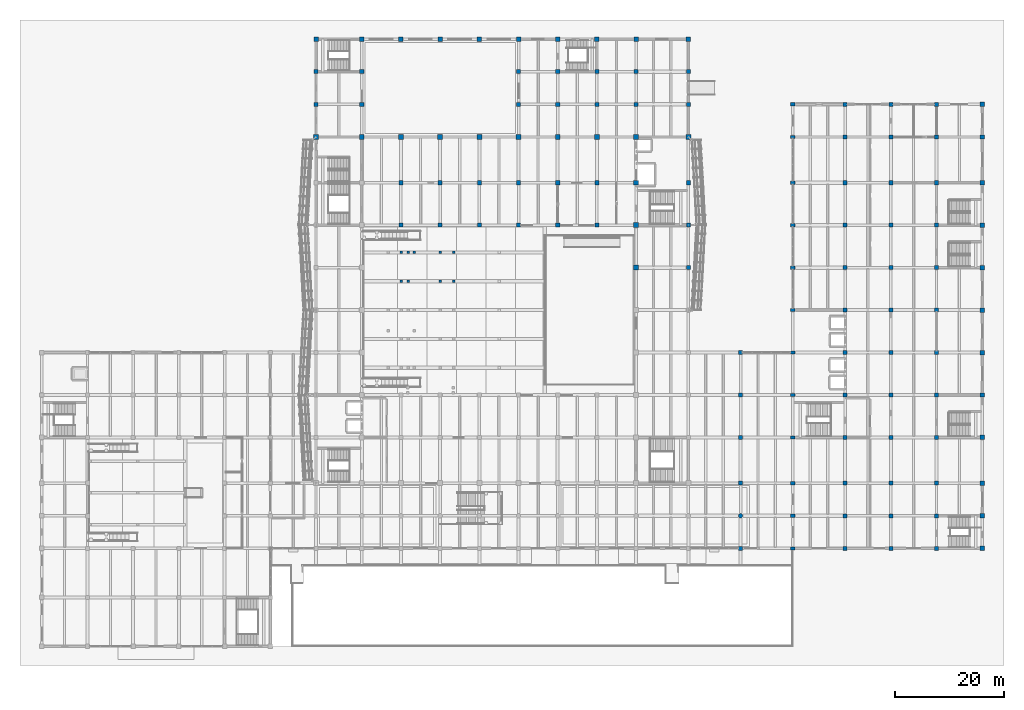
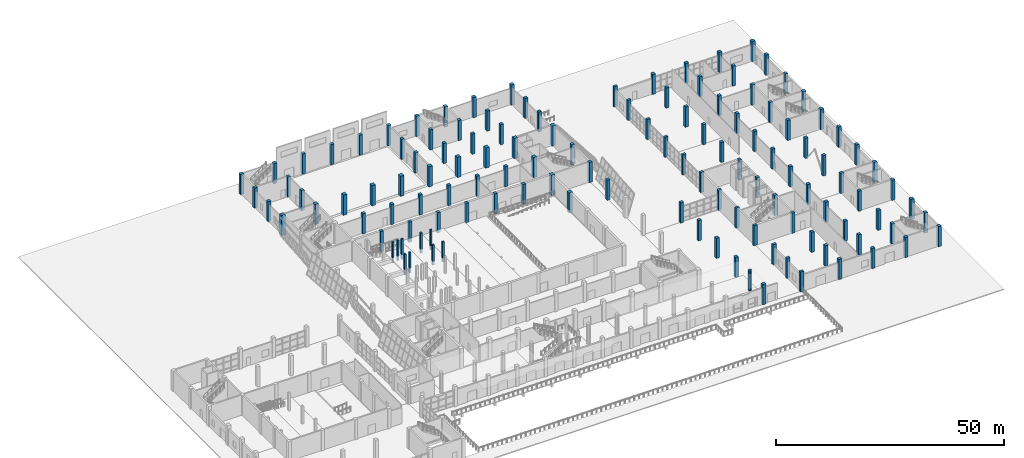
# One storey, part 2 of 78: 127 columns.
"""IFC4 building model written with IfcOpenShell, lengths in metres."""

from ifc_helpers import new_model, si_unit, direction, frame, origin, origin_2d, place, context, subcontext, project, spatial, rectangle, circle, extrude, material, material_profile, profile_set, type_object, element, save


model = new_model("IFC4")

# Units and contexts
model_context = context("Model", 3, precision=1e-05, world=origin(), true_north=direction((0.0, 1.0)))
body_context = subcontext(model_context, "Body", "Model", "MODEL_VIEW")
ifc_project = project(units=[si_unit("LENGTHUNIT", "METRE"), si_unit("AREAUNIT", "SQUARE_METRE"), si_unit("VOLUMEUNIT", "CUBIC_METRE"), si_unit("PLANEANGLEUNIT", "RADIAN"), si_unit("MASSUNIT", "GRAM", prefix="KILO")], contexts=[model_context])

# Site, building, storey
site_placement = place(None, origin())
site = spatial("IfcSite", under=ifc_project, at=site_placement, CompositionType="ELEMENT")
building_placement = place(site_placement, origin())
building = spatial("IfcBuilding", under=site, at=building_placement, Name="Pellamere Symphony Hall", CompositionType="ELEMENT")
storey_placement = place(building_placement, origin())
storey = spatial("IfcBuildingStorey", under=building, at=storey_placement, Name="L00", CompositionType="ELEMENT", Elevation=0.0)

# Columns
ifc_material_1 = material(Name="Concrete 50 MPa", Category="concrete")
ifc_material_profile_1 = material_profile(ifc_material_1, circle(Radius=0.39990234375, at=origin_2d()), Name="RCCOL D800")
ifc_profile_set_1 = profile_set([ifc_material_profile_1], Name="Concrete 50 MPa")
column_type_1 = type_object("IfcColumnType", Name="RC Circular Foyer Column CC-15 D800", PredefinedType="COLUMN", material=ifc_profile_set_1)
column_placement = place(storey_placement, frame((128.39990234375, 24.0, 0.0), z_axis=(0.0, 0.0, 1.0), x_axis=(1.0, 0.0, 0.0)))
element("IfcColumn", 1, at=column_placement, inside=storey, type_object=column_type_1, Name="Column C-17D (L00)", PredefinedType="COLUMN", context=body_context, shape_type="SweptSolid", body=[
    extrude(circle(Radius=0.39990234375, at=origin_2d()), origin(), (0.0, 0.0, 1.0), 5.39990234375),
])
ifc_material_profile_2 = material_profile(ifc_material_1, rectangle(XDim=0.89990234375, YDim=0.89990234375, at=origin_2d()), Name="RC 900x900")
ifc_profile_set_2 = profile_set([ifc_material_profile_2], Name="Concrete 50 MPa")
column_type_2 = type_object("IfcColumnType", Name="RC Column CC-02 900x900", PredefinedType="COLUMN", material=ifc_profile_set_2)
for number, where, z_axis, x_axis, name in (
    (2, (50.39990234375, 93.60009765625, 0.0), (0.0, 0.0, 1.0), (1.0, 0.0, 0.0), "Column C-7M (L00)"),
    (3, (58.800048828125, 93.60009765625, 0.0), (0.0, 0.0, 1.0), (1.0, 0.0, 0.0), "Column C-8M (L00)"),
    (4, (66.0, 93.60009765625, 0.0), (0.0, 0.0, 1.0), (1.0, 0.0, 0.0), "Column C-9M (L00)"),
    (5, (73.199951171875, 93.60009765625, 0.0), (0.0, 0.0, 1.0), (1.0, 0.0, 0.0), "Column C-10M (L00)"),
    (6, (80.39990234375, 93.60009765625, 0.0), (0.0, 0.0, 1.0), (1.0, 0.0, 0.0), "Column C-11M (L00)"),
    (7, (87.60009765625, 93.60009765625, 0.0), (0.0, 0.0, 1.0), (1.0, 0.0, 0.0), "Column C-12M (L00)"),
    (8, (94.800048828125, 93.60009765625, 0.0), (0.0, 0.0, 1.0), (1.0, 0.0, 0.0), "Column C-13M (L00)"),
    (9, (102.0, 93.60009765625, 0.0), (0.0, 0.0, 1.0), (1.0, 0.0, 0.0), "Column C-14M (L00)"),
    (10, (109.199951171875, 69.60009765625, 0.0), (0.0, 0.0, 1.0), (1.0, 0.0, 0.0), "Column C-15J (L00)"),
    (11, (109.199951171875, 77.39990234375, 0.0), (0.0, 0.0, 1.0), (1.0, 0.0, 0.0), "Column C-15K (L00)"),
    (12, (109.199951171875, 85.199951171875, 0.0), (0.0, 0.0, 1.0), (1.0, 0.0, 0.0), "Column C-15L (L00)"),
    (13, (109.199951171875, 93.60009765625, 0.0), (0.0, 0.0, 1.0), (1.0, 0.0, 0.0), "Column C-15M (L00)"),
    (14, (118.800048828125, 93.60009765625, 0.0), (0.0, 0.0, 1.0), (1.0, 0.0, 0.0), "Column C-16M (L00)"),
):
    element("IfcColumn", number, at=place(storey_placement, frame(where, z_axis=z_axis, x_axis=x_axis)), inside=storey, type_object=column_type_2, Name=name, PredefinedType="COLUMN", context=body_context, shape_type="SweptSolid", body=[
        extrude(rectangle(XDim=0.89990234375, YDim=0.89990234375, at=origin_2d()), origin(), (0.0, 0.0, 1.0), 5.39990234375),
    ])
ifc_material_2 = material(Name="Concrete 40 MPa", Category="concrete")
ifc_material_profile_3 = material_profile(ifc_material_2, rectangle(XDim=0.75, YDim=0.75, at=origin_2d()), Name="RC 750x750")
ifc_profile_set_3 = profile_set([ifc_material_profile_3], Name="Concrete 40 MPa")
column_type_3 = type_object("IfcColumnType", Name="RC Column CC-05 750x750", PredefinedType="COLUMN", material=ifc_profile_set_3)
for number, where, z_axis, x_axis, name in (
    (15, (50.39990234375, 99.60009765625, 0.0), (0.0, 0.0, 1.0), (1.0, 0.0, 0.0), "Column C-7N (L00)"),
    (16, (50.39990234375, 105.60009765625, 0.0), (0.0, 0.0, 1.0), (1.0, 0.0, 0.0), "Column C-7O (L00)"),
    (17, (58.800048828125, 99.60009765625, 0.0), (0.0, 0.0, 1.0), (1.0, 0.0, 0.0), "Column C-8N (L00)"),
    (18, (58.800048828125, 105.60009765625, 0.0), (0.0, 0.0, 1.0), (1.0, 0.0, 0.0), "Column C-8O (L00)"),
    (19, (66.0, 77.39990234375, 0.0), (0.0, 0.0, 1.0), (1.0, 0.0, 0.0), "Column C-9K (L00)"),
    (20, (66.0, 85.199951171875, 0.0), (0.0, 0.0, 1.0), (1.0, 0.0, 0.0), "Column C-9L (L00)"),
    (21, (73.199951171875, 77.39990234375, 0.0), (0.0, 0.0, 1.0), (1.0, 0.0, 0.0), "Column C-10K (L00)"),
    (22, (73.199951171875, 85.199951171875, 0.0), (0.0, 0.0, 1.0), (1.0, 0.0, 0.0), "Column C-10L (L00)"),
    (23, (80.39990234375, 77.39990234375, 0.0), (0.0, 0.0, 1.0), (1.0, 0.0, 0.0), "Column C-11K (L00)"),
    (24, (80.39990234375, 85.199951171875, 0.0), (0.0, 0.0, 1.0), (1.0, 0.0, 0.0), "Column C-11L (L00)"),
    (25, (87.60009765625, 77.39990234375, 0.0), (0.0, 0.0, 1.0), (1.0, 0.0, 0.0), "Column C-12K (L00)"),
    (26, (87.60009765625, 85.199951171875, 0.0), (0.0, 0.0, 1.0), (1.0, 0.0, 0.0), "Column C-12L (L00)"),
    (27, (87.60009765625, 99.60009765625, 0.0), (0.0, 0.0, 1.0), (1.0, 0.0, 0.0), "Column C-12N (L00)"),
    (28, (87.60009765625, 105.60009765625, 0.0), (0.0, 0.0, 1.0), (1.0, 0.0, 0.0), "Column C-12O (L00)"),
    (29, (94.800048828125, 77.39990234375, 0.0), (0.0, 0.0, 1.0), (1.0, 0.0, 0.0), "Column C-13K (L00)"),
    (30, (94.800048828125, 85.199951171875, 0.0), (0.0, 0.0, 1.0), (1.0, 0.0, 0.0), "Column C-13L (L00)"),
    (31, (94.800048828125, 99.60009765625, 0.0), (0.0, 0.0, 1.0), (1.0, 0.0, 0.0), "Column C-13N (L00)"),
    (32, (94.800048828125, 105.60009765625, 0.0), (0.0, 0.0, 1.0), (1.0, 0.0, 0.0), "Column C-13O (L00)"),
    (33, (102.0, 77.39990234375, 0.0), (0.0, 0.0, 1.0), (1.0, 0.0, 0.0), "Column C-14K (L00)"),
    (34, (102.0, 85.199951171875, 0.0), (0.0, 0.0, 1.0), (1.0, 0.0, 0.0), "Column C-14L (L00)"),
    (35, (102.0, 99.60009765625, 0.0), (0.0, 0.0, 1.0), (1.0, 0.0, 0.0), "Column C-14N (L00)"),
    (36, (102.0, 105.60009765625, 0.0), (0.0, 0.0, 1.0), (1.0, 0.0, 0.0), "Column C-14O (L00)"),
    (37, (109.199951171875, 99.60009765625, 0.0), (0.0, 0.0, 1.0), (1.0, 0.0, 0.0), "Column C-15N (L00)"),
    (38, (109.199951171875, 105.60009765625, 0.0), (0.0, 0.0, 1.0), (1.0, 0.0, 0.0), "Column C-15O (L00)"),
    (39, (118.800048828125, 69.60009765625, 0.0), (0.0, 0.0, 1.0), (1.0, 0.0, 0.0), "Column C-16J (L00)"),
    (40, (118.800048828125, 77.39990234375, 0.0), (0.0, 0.0, 1.0), (1.0, 0.0, 0.0), "Column C-16K (L00)"),
    (41, (118.800048828125, 85.199951171875, 0.0), (0.0, 0.0, 1.0), (1.0, 0.0, 0.0), "Column C-16L (L00)"),
    (42, (118.800048828125, 99.60009765625, 0.0), (0.0, 0.0, 1.0), (1.0, 0.0, 0.0), "Column C-16N (L00)"),
    (43, (118.800048828125, 105.60009765625, 0.0), (0.0, 0.0, 1.0), (1.0, 0.0, 0.0), "Column C-16O (L00)"),
    (44, (128.39990234375, 18.0, 0.0), (0.0, 0.0, 1.0), (1.0, 0.0, 0.0), "Column C-17C (L00)"),
    (45, (128.39990234375, 30.0, 0.0), (0.0, 0.0, 1.0), (1.0, 0.0, 0.0), "Column C-17E (L00)"),
    (46, (128.39990234375, 38.39990234375, 0.0), (0.0, 0.0, 1.0), (1.0, 0.0, 0.0), "Column C-17F (L00)"),
    (47, (128.39990234375, 46.199951171875, 0.0), (0.0, 0.0, 1.0), (1.0, 0.0, 0.0), "Column C-17G (L00)"),
    (48, (128.39990234375, 54.0, 0.0), (0.0, 0.0, 1.0), (1.0, 0.0, 0.0), "Column C-17H (L00)"),
    (49, (147.60009765625, 18.0, 0.0), (0.0, 0.0, 1.0), (1.0, 0.0, 0.0), "Column C-19C (L00)"),
    (50, (147.60009765625, 24.0, 0.0), (0.0, 0.0, 1.0), (1.0, 0.0, 0.0), "Column C-19D (L00)"),
    (51, (147.60009765625, 30.0, 0.0), (0.0, 0.0, 1.0), (1.0, 0.0, 0.0), "Column C-19E (L00)"),
    (52, (147.60009765625, 38.39990234375, 0.0), (0.0, 0.0, 1.0), (1.0, 0.0, 0.0), "Column C-19F (L00)"),
    (53, (147.60009765625, 46.199951171875, 0.0), (0.0, 0.0, 1.0), (1.0, 0.0, 0.0), "Column C-19G (L00)"),
    (54, (147.60009765625, 54.0, 0.0), (0.0, 0.0, 1.0), (1.0, 0.0, 0.0), "Column C-19H (L00)"),
    (55, (147.60009765625, 61.800048828125, 0.0), (0.0, 0.0, 1.0), (1.0, 0.0, 0.0), "Column C-19I (L00)"),
    (56, (147.60009765625, 69.60009765625, 0.0), (0.0, 0.0, 1.0), (1.0, 0.0, 0.0), "Column C-19J (L00)"),
    (57, (147.60009765625, 77.39990234375, 0.0), (0.0, 0.0, 1.0), (1.0, 0.0, 0.0), "Column C-19K (L00)"),
    (58, (147.60009765625, 85.199951171875, 0.0), (0.0, 0.0, 1.0), (1.0, 0.0, 0.0), "Column C-19L (L00)"),
    (59, (147.60009765625, 93.60009765625, 0.0), (0.0, 0.0, 1.0), (1.0, 0.0, 0.0), "Column C-19M (L00)"),
    (60, (147.60009765625, 99.60009765625, 0.0), (0.0, 0.0, 1.0), (1.0, 0.0, 0.0), "Column C-19N (L00)"),
    (61, (156.0, 18.0, 0.0), (0.0, 0.0, 1.0), (1.0, 0.0, 0.0), "Column C-20C (L00)"),
    (62, (156.0, 24.0, 0.0), (0.0, 0.0, 1.0), (1.0, 0.0, 0.0), "Column C-20D (L00)"),
    (63, (156.0, 30.0, 0.0), (0.0, 0.0, 1.0), (1.0, 0.0, 0.0), "Column C-20E (L00)"),
    (64, (156.0, 38.39990234375, 0.0), (0.0, 0.0, 1.0), (1.0, 0.0, 0.0), "Column C-20F (L00)"),
    (65, (156.0, 46.199951171875, 0.0), (0.0, 0.0, 1.0), (1.0, 0.0, 0.0), "Column C-20G (L00)"),
    (66, (156.0, 54.0, 0.0), (0.0, 0.0, 1.0), (1.0, 0.0, 0.0), "Column C-20H (L00)"),
    (67, (156.0, 61.800048828125, 0.0), (0.0, 0.0, 1.0), (1.0, 0.0, 0.0), "Column C-20I (L00)"),
    (68, (156.0, 69.60009765625, 0.0), (0.0, 0.0, 1.0), (1.0, 0.0, 0.0), "Column C-20J (L00)"),
    (69, (156.0, 77.39990234375, 0.0), (0.0, 0.0, 1.0), (1.0, 0.0, 0.0), "Column C-20K (L00)"),
    (70, (156.0, 85.199951171875, 0.0), (0.0, 0.0, 1.0), (1.0, 0.0, 0.0), "Column C-20L (L00)"),
    (71, (156.0, 93.60009765625, 0.0), (0.0, 0.0, 1.0), (1.0, 0.0, 0.0), "Column C-20M (L00)"),
    (72, (156.0, 99.60009765625, 0.0), (0.0, 0.0, 1.0), (1.0, 0.0, 0.0), "Column C-20N (L00)"),
    (73, (164.39990234375, 18.0, 0.0), (0.0, 0.0, 1.0), (1.0, 0.0, 0.0), "Column C-21C (L00)"),
    (74, (164.39990234375, 24.0, 0.0), (0.0, 0.0, 1.0), (1.0, 0.0, 0.0), "Column C-21D (L00)"),
    (75, (164.39990234375, 30.0, 0.0), (0.0, 0.0, 1.0), (1.0, 0.0, 0.0), "Column C-21E (L00)"),
    (76, (164.39990234375, 38.39990234375, 0.0), (0.0, 0.0, 1.0), (1.0, 0.0, 0.0), "Column C-21F (L00)"),
    (77, (164.39990234375, 46.199951171875, 0.0), (0.0, 0.0, 1.0), (1.0, 0.0, 0.0), "Column C-21G (L00)"),
    (78, (164.39990234375, 54.0, 0.0), (0.0, 0.0, 1.0), (1.0, 0.0, 0.0), "Column C-21H (L00)"),
    (79, (164.39990234375, 61.800048828125, 0.0), (0.0, 0.0, 1.0), (1.0, 0.0, 0.0), "Column C-21I (L00)"),
    (80, (164.39990234375, 69.60009765625, 0.0), (0.0, 0.0, 1.0), (1.0, 0.0, 0.0), "Column C-21J (L00)"),
    (81, (164.39990234375, 77.39990234375, 0.0), (0.0, 0.0, 1.0), (1.0, 0.0, 0.0), "Column C-21K (L00)"),
    (82, (164.39990234375, 85.199951171875, 0.0), (0.0, 0.0, 1.0), (1.0, 0.0, 0.0), "Column C-21L (L00)"),
    (83, (164.39990234375, 93.60009765625, 0.0), (0.0, 0.0, 1.0), (1.0, 0.0, 0.0), "Column C-21M (L00)"),
    (84, (164.39990234375, 99.60009765625, 0.0), (0.0, 0.0, 1.0), (1.0, 0.0, 0.0), "Column C-21N (L00)"),
):
    element("IfcColumn", number, at=place(storey_placement, frame(where, z_axis=z_axis, x_axis=x_axis)), inside=storey, type_object=column_type_3, Name=name, PredefinedType="COLUMN", context=body_context, shape_type="SweptSolid", body=[
        extrude(rectangle(XDim=0.75, YDim=0.75, at=origin_2d()), origin(), (0.0, 0.0, 1.0), 5.39990234375),
    ])
ifc_material_profile_4 = material_profile(ifc_material_2, rectangle(XDim=0.85009765625, YDim=0.60009765625, at=origin_2d()), Name="RC 850x600")
ifc_profile_set_4 = profile_set([ifc_material_profile_4], Name="Concrete 40 MPa")
column_type_4 = type_object("IfcColumnType", Name="RC Column CC-12 850x600", PredefinedType="COLUMN", material=ifc_profile_set_4)
for number, where, z_axis, x_axis, name in (
    (85, (138.0, 18.0, 0.0), (0.0, 0.0, 1.0), (1.0, 0.0, 0.0), "Column C-18C (L00)"),
    (86, (138.0, 24.0, 0.0), (0.0, 0.0, 1.0), (1.0, 0.0, 0.0), "Column C-18D (L00)"),
    (87, (138.0, 30.0, 0.0), (0.0, 0.0, 1.0), (1.0, 0.0, 0.0), "Column C-18E (L00)"),
    (88, (138.0, 38.39990234375, 0.0), (0.0, 0.0, 1.0), (1.0, 0.0, 0.0), "Column C-18F (L00)"),
    (89, (138.0, 46.199951171875, 0.0), (0.0, 0.0, 1.0), (1.0, 0.0, 0.0), "Column C-18G (L00)"),
    (90, (138.0, 54.0, 0.0), (0.0, 0.0, 1.0), (1.0, 0.0, 0.0), "Column C-18H (L00)"),
    (91, (138.0, 61.800048828125, 0.0), (0.0, 0.0, 1.0), (1.0, 0.0, 0.0), "Column C-18I (L00)"),
    (92, (138.0, 69.60009765625, 0.0), (0.0, 0.0, 1.0), (1.0, 0.0, 0.0), "Column C-18J (L00)"),
    (93, (138.0, 77.39990234375, 0.0), (0.0, 0.0, 1.0), (1.0, 0.0, 0.0), "Column C-18K (L00)"),
    (94, (138.0, 85.199951171875, 0.0), (0.0, 0.0, 1.0), (1.0, 0.0, 0.0), "Column C-18L (L00)"),
    (95, (138.0, 93.60009765625, 0.0), (0.0, 0.0, 1.0), (1.0, 0.0, 0.0), "Column C-18M (L00)"),
    (96, (138.0, 99.60009765625, 0.0), (0.0, 0.0, 1.0), (1.0, 0.0, 0.0), "Column C-18N (L00)"),
):
    element("IfcColumn", number, at=place(storey_placement, frame(where, z_axis=z_axis, x_axis=x_axis)), inside=storey, type_object=column_type_4, Name=name, PredefinedType="COLUMN", context=body_context, shape_type="SweptSolid", body=[
        extrude(rectangle(XDim=0.85009765625, YDim=0.60009765625, at=origin_2d()), origin(), (0.0, 0.0, 1.0), 5.39990234375),
    ])
ifc_material_profile_5 = material_profile(ifc_material_2, rectangle(XDim=0.449951171875, YDim=0.449951171875, at=origin_2d()), Name="RC 450x450")
ifc_profile_set_5 = profile_set([ifc_material_profile_5], Name="Concrete 40 MPa")
column_type_5 = type_object("IfcColumnType", Name="RC Column CC-18 450x450", PredefinedType="COLUMN", material=ifc_profile_set_5)
for number, where, z_axis, x_axis, name in (
    (97, (66.074951171875, 67.10009765625, 0.0), (0.0, 0.0, 1.0), (1.0, 0.0, 0.0), "Under-Tier Raker Support Column RKC-048 (L00)"),
    (98, (66.074951171875, 72.39990234375, 0.0), (0.0, 0.0, 1.0), (1.0, 0.0, 0.0), "Under-Tier Raker Support Column RKC-052 (L00)"),
    (99, (67.31201171875, 67.10009765625, 0.0), (0.0, 0.0, 1.0), (1.0, 0.0, 0.0), "Under-Tier Raker Support Column RKC-071 (L00)"),
    (100, (67.31201171875, 72.39990234375, 0.0), (0.0, 0.0, 1.0), (1.0, 0.0, 0.0), "Under-Tier Raker Support Column RKC-074 (L00)"),
    (101, (68.39990234375, 72.39990234375, 0.0), (0.0, 0.0, 1.0), (1.0, 0.0, 0.0), "Under-Tier Raker Support Column RKC-089 (L00)"),
    (102, (73.199951171875, 67.10009765625, 0.0), (0.0, 0.0, 1.0), (1.0, 0.0, 0.0), "Under-Tier Raker Support Column RKC-105 (L00)"),
    (103, (73.199951171875, 72.39990234375, 0.0), (0.0, 0.0, 1.0), (1.0, 0.0, 0.0), "Under-Tier Raker Support Column RKC-109 (L00)"),
):
    element("IfcColumn", number, at=place(storey_placement, frame(where, z_axis=z_axis, x_axis=x_axis)), inside=storey, type_object=column_type_5, Name=name, PredefinedType="COLUMN", context=body_context, shape_type="SweptSolid", body=[
        extrude(rectangle(XDim=0.449951171875, YDim=0.449951171875, at=origin_2d()), origin(), (0.0, 0.0, 1.0), 5.39990234375),
    ])
for number, where, z_axis, x_axis, name in (
    (104, (75.675048828125, 67.10009765625, 0.0), (0.0, 0.0, 1.0), (1.0, 0.0, 0.0), "Under-Tier Raker Support Column RKC-123 (L00)"),
    (105, (75.675048828125, 72.39990234375, 0.0), (0.0, 0.0, 1.0), (1.0, 0.0, 0.0), "Under-Tier Raker Support Column RKC-125 (L00)"),
):
    element("IfcColumn", number, at=place(storey_placement, frame(where, z_axis=z_axis, x_axis=x_axis)), inside=storey, type_object=column_type_5, Name=name, PredefinedType="COLUMN", context=body_context, shape_type="SweptSolid", body=[
        extrude(rectangle(XDim=0.449951171875, YDim=0.449951171875, at=origin_2d()), origin(), (0.0, 0.0, 1.0), 5.300048828125),
    ])
ifc_material_profile_6 = material_profile(ifc_material_2, rectangle(XDim=0.820068359375, YDim=0.820068359375, at=origin_2d()), Name="RC 820x820")
ifc_profile_set_6 = profile_set([ifc_material_profile_6], Name="Concrete 40 MPa")
column_type_6 = type_object("IfcColumnType", Name="RC Column CCP-02 820x820", PredefinedType="COLUMN", material=ifc_profile_set_6)
for number, where, z_axis, x_axis, name in (
    (106, (50.39990234375, 111.60009765625, 0.0), (0.0, 0.0, 1.0), (1.0, 0.0, 0.0), "Column C-7P (L00)"),
    (107, (58.800048828125, 111.60009765625, 0.0), (0.0, 0.0, 1.0), (1.0, 0.0, 0.0), "Column C-8P (L00)"),
    (108, (66.0, 111.60009765625, 0.0), (0.0, 0.0, 1.0), (1.0, 0.0, 0.0), "Column C-9P (L00)"),
    (109, (73.199951171875, 111.60009765625, 0.0), (0.0, 0.0, 1.0), (1.0, 0.0, 0.0), "Column C-10P (L00)"),
    (110, (80.39990234375, 111.60009765625, 0.0), (0.0, 0.0, 1.0), (1.0, 0.0, 0.0), "Column C-11P (L00)"),
    (111, (87.60009765625, 111.60009765625, 0.0), (0.0, 0.0, 1.0), (1.0, 0.0, 0.0), "Column C-12P (L00)"),
    (112, (94.800048828125, 111.60009765625, 0.0), (0.0, 0.0, 1.0), (1.0, 0.0, 0.0), "Column C-13P (L00)"),
    (113, (102.0, 111.60009765625, 0.0), (0.0, 0.0, 1.0), (1.0, 0.0, 0.0), "Column C-14P (L00)"),
    (114, (109.199951171875, 111.60009765625, 0.0), (0.0, 0.0, 1.0), (1.0, 0.0, 0.0), "Column C-15P (L00)"),
    (115, (118.800048828125, 111.60009765625, 0.0), (0.0, 0.0, 1.0), (1.0, 0.0, 0.0), "Column C-16P (L00)"),
    (116, (172.800048828125, 18.0, 0.0), (0.0, 0.0, 1.0), (1.0, 0.0, 0.0), "Column C-22C (L00)"),
    (117, (172.800048828125, 24.0, 0.0), (0.0, 0.0, 1.0), (1.0, 0.0, 0.0), "Column C-22D (L00)"),
    (118, (172.800048828125, 30.0, 0.0), (0.0, 0.0, 1.0), (1.0, 0.0, 0.0), "Column C-22E (L00)"),
    (119, (172.800048828125, 38.39990234375, 0.0), (0.0, 0.0, 1.0), (1.0, 0.0, 0.0), "Column C-22F (L00)"),
    (120, (172.800048828125, 46.199951171875, 0.0), (0.0, 0.0, 1.0), (1.0, 0.0, 0.0), "Column C-22G (L00)"),
    (121, (172.800048828125, 54.0, 0.0), (0.0, 0.0, 1.0), (1.0, 0.0, 0.0), "Column C-22H (L00)"),
    (122, (172.800048828125, 61.800048828125, 0.0), (0.0, 0.0, 1.0), (1.0, 0.0, 0.0), "Column C-22I (L00)"),
    (123, (172.800048828125, 69.60009765625, 0.0), (0.0, 0.0, 1.0), (1.0, 0.0, 0.0), "Column C-22J (L00)"),
    (124, (172.800048828125, 77.39990234375, 0.0), (0.0, 0.0, 1.0), (1.0, 0.0, 0.0), "Column C-22K (L00)"),
    (125, (172.800048828125, 85.199951171875, 0.0), (0.0, 0.0, 1.0), (1.0, 0.0, 0.0), "Column C-22L (L00)"),
    (126, (172.800048828125, 93.60009765625, 0.0), (0.0, 0.0, 1.0), (1.0, 0.0, 0.0), "Column C-22M (L00)"),
    (127, (172.800048828125, 99.60009765625, 0.0), (0.0, 0.0, 1.0), (1.0, 0.0, 0.0), "Column C-22N (L00)"),
):
    element("IfcColumn", number, at=place(storey_placement, frame(where, z_axis=z_axis, x_axis=x_axis)), inside=storey, type_object=column_type_6, Name=name, PredefinedType="COLUMN", context=body_context, shape_type="SweptSolid", body=[
        extrude(rectangle(XDim=0.820068359375, YDim=0.820068359375, at=origin_2d()), origin(), (0.0, 0.0, 1.0), 5.39990234375),
    ])

save(model, "model.ifc")
